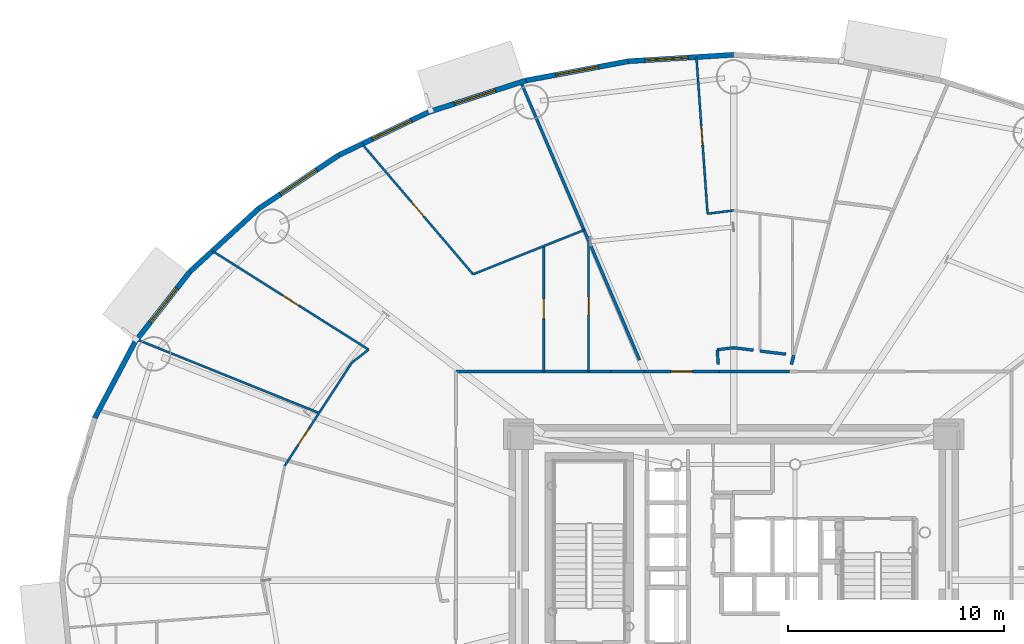
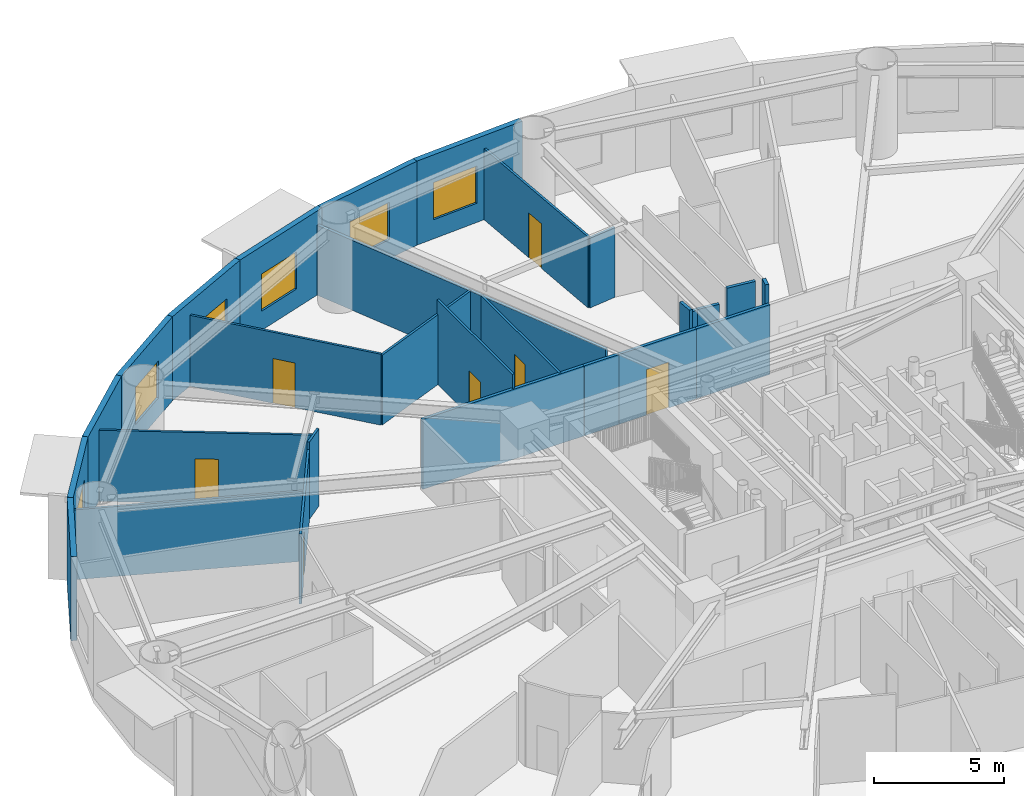
# One storey, part 15 of 24: 28 walls, 7 doors, 6 windows, 13 openings.
"""IFC4 building model written with IfcOpenShell, lengths in metres."""

from ifc_helpers import new_model, si_unit, direction, frame, frame_2d, origin, origin_2d, place, context, subcontext, project, spatial, rectangle, extrude, source, transform, mapped, material, layer, layer_set, type_object, element, fill, save


model = new_model("IFC4")

# Units and contexts
model_context = context("Model", 3, precision=1e-05, world=origin(), true_north=direction((0.0, 1.0)))
body_context = subcontext(model_context, "Body", "Model", "MODEL_VIEW")
ifc_project = project(units=[si_unit("LENGTHUNIT", "METRE"), si_unit("AREAUNIT", "SQUARE_METRE"), si_unit("VOLUMEUNIT", "CUBIC_METRE"), si_unit("PLANEANGLEUNIT", "RADIAN"), si_unit("MASSUNIT", "GRAM", prefix="KILO")], contexts=[model_context])

# Site, building, storey
site_placement = place(None, origin())
site = spatial("IfcSite", under=ifc_project, at=site_placement, CompositionType="ELEMENT")
building_placement = place(site_placement, origin())
building = spatial("IfcBuilding", under=site, at=building_placement, Name="Linh Dai School and Residence Tower", CompositionType="ELEMENT")
storey_placement = place(building_placement, frame((0.0, 0.0, 74.39990234375)))
storey = spatial("IfcBuildingStorey", under=building, at=storey_placement, Name="L17", CompositionType="ELEMENT", Elevation=74.39990234375)

# Wall, opening, window
ifc_material_1 = material(Name="Precast Concrete B45 (C35/45)", Category="concrete")
ifc_layer_1 = layer(ifc_material_1, 0.239990234375)
ifc_layer_set_1 = layer_set([ifc_layer_1], Name="Precast Concrete B45 (C35/45)")
wall_type_1 = type_object("IfcWallType", Name="EW-TC-240", PredefinedType="SOLIDWALL", material=ifc_layer_set_1)
wall_1_placement = place(storey_placement, frame((31.134521484375, 51.005126953125, 0.0), z_axis=(0.0, 0.0, 1.0), x_axis=(0.998106954071, 0.061502099433, 0.0)))
wall_1 = element("IfcWall", 1, at=wall_1_placement, inside=storey, type_object=wall_type_1, Name="L17 Terracotta Exterior Wall 11", PredefinedType="SOLIDWALL", context=body_context, shape_type="SweptSolid", body=[
    extrude(rectangle(XDim=4.874755859375, YDim=0.239990234375, at=frame_2d((2.4375, 0.0))), origin(), (0.0, 0.0, 1.0), 3.9501953125),
])
opening_1_placement = place(wall_1_placement, frame((0.77001953125, 0.0, 0.89990234375)))
opening_1 = element("IfcOpeningElement", 2, at=opening_1_placement, cuts=wall_1, Name="Opening W1", PredefinedType="OPENING", context=body_context, shape_type="SweptSolid", body=[
    extrude(rectangle(XDim=2.0, YDim=1.75, at=origin_2d()), frame((1.0, 0.1298828125, 0.875), z_axis=(0.0, -1.0, 0.0), x_axis=(1.0, 0.0, 0.0)), (0.0, 0.0, 1.0), 0.260009765625),
])
ifc_material_2 = material(Name="Double Low-E Insulated Glazing", Category="glass")
window_type = type_object("IfcWindowType", Name="WN-RES-2000x1750", PartitioningType="DOUBLE_PANEL_VERTICAL", PredefinedType="WINDOW", material=ifc_material_2)
shared_shape_1 = source(origin(), body_context, "Body", "SweptSolid", [
    extrude(rectangle(XDim=2.0, YDim=1.75, at=origin_2d()), frame((1.0, 0.030029296875, 0.875), z_axis=(0.0, -1.0, 0.0), x_axis=(1.0, 0.0, 0.0)), (0.0, 0.0, 1.0), 0.06005859375),
])
window_1_placement = place(opening_1_placement, origin())
window_1 = element("IfcWindow", 3, at=window_1_placement, inside=storey, type_object=window_type, Name="L17 Exterior Window 11.1", OverallHeight=1.75, OverallWidth=2.0, PartitioningType="DOUBLE_PANEL_VERTICAL", PredefinedType="WINDOW", context=body_context, shape_type="MappedRepresentation", body=[
    mapped(shared_shape_1, transform((0.0, 0.0, 0.0), x_axis=(1.0, 0.0, 0.0), y_axis=(0.0, 1.0, 0.0), z_axis=(0.0, 0.0, 1.0), scale=1.0)),
])
fill(opening_1, window_1)

wall_2_placement = place(storey_placement, frame((26.389404296875, 50.11328125, 0.0), z_axis=(0.0, 0.0, 1.0), x_axis=(0.982791952378, 0.184715939598, 0.0)))
wall_2 = element("IfcWall", 4, at=wall_2_placement, inside=storey, type_object=wall_type_1, Name="L17 Terracotta Exterior Wall 12", PredefinedType="SOLIDWALL", context=body_context, shape_type="SweptSolid", body=[
    extrude(rectangle(XDim=4.828125, YDim=0.239990234375, at=frame_2d((2.4140625, 0.0))), origin(), (0.0, 0.0, 1.0), 3.9501953125),
])
opening_2_placement = place(wall_2_placement, frame((1.414306640625, 0.0, 0.89990234375)))
opening_2 = element("IfcOpeningElement", 5, at=opening_2_placement, cuts=wall_2, Name="Opening W1", PredefinedType="OPENING", context=body_context, shape_type="SweptSolid", body=[
    extrude(rectangle(XDim=2.0, YDim=1.75, at=origin_2d()), frame((1.0, 0.1298828125, 0.875), z_axis=(0.0, -1.0, 0.0), x_axis=(1.0, 0.0, 0.0)), (0.0, 0.0, 1.0), 0.260009765625),
])
window_2_placement = place(opening_2_placement, origin())
window_2 = element("IfcWindow", 6, at=window_2_placement, inside=storey, type_object=window_type, Name="L17 Exterior Window 12.1", OverallHeight=1.75, OverallWidth=2.0, PartitioningType="DOUBLE_PANEL_VERTICAL", PredefinedType="WINDOW", context=body_context, shape_type="MappedRepresentation", body=[
    mapped(shared_shape_1, transform((0.0, 0.0, 0.0), x_axis=(1.0, 0.0, 0.0), y_axis=(0.0, 1.0, 0.0), z_axis=(0.0, 0.0, 1.0), scale=1.0)),
])
fill(opening_2, window_2)

wall_3_placement = place(storey_placement, frame((21.8818359375, 48.651123046875, 0.0), z_axis=(0.0, 0.0, 1.0), x_axis=(0.951207699013, 0.308551313946, 0.0)))
wall_3 = element("IfcWall", 7, at=wall_3_placement, inside=storey, type_object=wall_type_1, Name="L17 Terracotta Exterior Wall 13", PredefinedType="SOLIDWALL", context=body_context, shape_type="SweptSolid", body=[
    extrude(rectangle(XDim=4.73876953125, YDim=0.239990234375, at=frame_2d((2.369384765625, 0.0))), origin(), (0.0, 0.0, 1.0), 3.9501953125),
])
opening_3_placement = place(wall_3_placement, frame((1.2578125, 0.0, 0.89990234375)))
opening_3 = element("IfcOpeningElement", 8, at=opening_3_placement, cuts=wall_3, Name="Opening W1", PredefinedType="OPENING", context=body_context, shape_type="SweptSolid", body=[
    extrude(rectangle(XDim=2.0, YDim=1.75, at=origin_2d()), frame((1.0, 0.1298828125, 0.875), z_axis=(0.0, -1.0, 0.0), x_axis=(1.0, 0.0, 0.0)), (0.0, 0.0, 1.0), 0.260009765625),
])
window_3_placement = place(opening_3_placement, origin())
window_3 = element("IfcWindow", 9, at=window_3_placement, inside=storey, type_object=window_type, Name="L17 Exterior Window 13.1", OverallHeight=1.75, OverallWidth=2.0, PartitioningType="DOUBLE_PANEL_VERTICAL", PredefinedType="WINDOW", context=body_context, shape_type="MappedRepresentation", body=[
    mapped(shared_shape_1, transform((0.0, 0.0, 0.0), x_axis=(1.0, 0.0, 0.0), y_axis=(0.0, 1.0, 0.0), z_axis=(0.0, 0.0, 1.0), scale=1.0)),
])
fill(opening_3, window_3)

wall_4_placement = place(storey_placement, frame((17.722900390625, 46.65576171875, 0.0), z_axis=(0.0, 0.0, 1.0), x_axis=(0.901601503137, 0.432567601123, 0.0)))
wall_4 = element("IfcWall", 10, at=wall_4_placement, inside=storey, type_object=wall_type_1, Name="L17 Terracotta Exterior Wall 14", PredefinedType="SOLIDWALL", context=body_context, shape_type="SweptSolid", body=[
    extrude(rectangle(XDim=4.61279296875, YDim=0.239990234375, at=frame_2d((2.306396484375, 0.0))), origin(), (0.0, 0.0, 1.0), 3.9501953125),
])
opening_4_placement = place(wall_4_placement, frame((1.73095703125, 0.0, 0.89990234375)))
opening_4 = element("IfcOpeningElement", 11, at=opening_4_placement, cuts=wall_4, Name="Opening W1", PredefinedType="OPENING", context=body_context, shape_type="SweptSolid", body=[
    extrude(rectangle(XDim=2.0, YDim=1.75, at=origin_2d()), frame((1.0, 0.1298828125, 0.875), z_axis=(0.0, -1.0, 0.0), x_axis=(1.0, 0.0, 0.0)), (0.0, 0.0, 1.0), 0.260009765625),
])
window_4_placement = place(opening_4_placement, origin())
window_4 = element("IfcWindow", 12, at=window_4_placement, inside=storey, type_object=window_type, Name="L17 Exterior Window 14.1", OverallHeight=1.75, OverallWidth=2.0, PartitioningType="DOUBLE_PANEL_VERTICAL", PredefinedType="WINDOW", context=body_context, shape_type="MappedRepresentation", body=[
    mapped(shared_shape_1, transform((0.0, 0.0, 0.0), x_axis=(1.0, 0.0, 0.0), y_axis=(0.0, 1.0, 0.0), z_axis=(0.0, 0.0, 1.0), scale=1.0)),
])
fill(opening_4, window_4)

wall_5_placement = place(storey_placement, frame((14.015380859375, 44.17626953125, 0.0), z_axis=(0.0, 0.0, 1.0), x_axis=(0.831240982525, 0.555912249343, 0.0)))
wall_5 = element("IfcWall", 13, at=wall_5_placement, inside=storey, type_object=wall_type_1, Name="L17 Terracotta Exterior Wall 15", PredefinedType="SOLIDWALL", context=body_context, shape_type="SweptSolid", body=[
    extrude(rectangle(XDim=4.460205078125, YDim=0.239990234375, at=frame_2d((2.22998046875, 0.0))), origin(), (0.0, 0.0, 1.0), 3.9501953125),
])
opening_5_placement = place(wall_5_placement, frame((1.230224609375, 0.0, 0.89990234375)))
opening_5 = element("IfcOpeningElement", 14, at=opening_5_placement, cuts=wall_5, Name="Opening W1", PredefinedType="OPENING", context=body_context, shape_type="SweptSolid", body=[
    extrude(rectangle(XDim=2.0, YDim=1.75, at=origin_2d()), frame((1.0, 0.1298828125, 0.875), z_axis=(0.0, -1.0, 0.0), x_axis=(1.0, 0.0, 0.0)), (0.0, 0.0, 1.0), 0.260009765625),
])
window_5_placement = place(opening_5_placement, origin())
window_5 = element("IfcWindow", 15, at=window_5_placement, inside=storey, type_object=window_type, Name="L17 Exterior Window 15.1", OverallHeight=1.75, OverallWidth=2.0, PartitioningType="DOUBLE_PANEL_VERTICAL", PredefinedType="WINDOW", context=body_context, shape_type="MappedRepresentation", body=[
    mapped(shared_shape_1, transform((0.0, 0.0, 0.0), x_axis=(1.0, 0.0, 0.0), y_axis=(0.0, 1.0, 0.0), z_axis=(0.0, 0.0, 1.0), scale=1.0)),
])
fill(opening_5, window_5)

# Wall
wall_6_placement = place(storey_placement, frame((10.850341796875, 41.274658203125, 0.0), z_axis=(0.0, 0.0, 1.0), x_axis=(0.737116376281, 0.67576582321, 0.0)))
element("IfcWall", 16, at=wall_6_placement, inside=storey, type_object=wall_type_1, Name="L17 Terracotta Exterior Wall 16", PredefinedType="SOLIDWALL", context=body_context, shape_type="SweptSolid", body=[
    extrude(rectangle(XDim=4.293701171875, YDim=0.239990234375, at=frame_2d((2.14697265625, 0.0))), origin(), (0.0, 0.0, 1.0), 3.9501953125),
])

# Wall, opening, window
wall_7_placement = place(storey_placement, frame((8.305419921875, 38.022705078125, 0.0), z_axis=(0.0, 0.0, 1.0), x_axis=(0.616295508253, 0.787514981767, 0.0)))
wall_7 = element("IfcWall", 17, at=wall_7_placement, inside=storey, type_object=wall_type_1, Name="L17 Terracotta Exterior Wall 17", PredefinedType="SOLIDWALL", context=body_context, shape_type="SweptSolid", body=[
    extrude(rectangle(XDim=4.12939453125, YDim=0.239990234375, at=frame_2d((2.064697265625, 0.0))), origin(), (0.0, 0.0, 1.0), 3.9501953125),
])
opening_6_placement = place(wall_7_placement, frame((1.1455078125, 0.0, 0.89990234375)))
opening_6 = element("IfcOpeningElement", 18, at=opening_6_placement, cuts=wall_7, Name="Opening W1", PredefinedType="OPENING", context=body_context, shape_type="SweptSolid", body=[
    extrude(rectangle(XDim=2.0, YDim=1.75, at=origin_2d()), frame((1.0, 0.1298828125, 0.875), z_axis=(0.0, -1.0, 0.0), x_axis=(1.0, 0.0, 0.0)), (0.0, 0.0, 1.0), 0.260009765625),
])
window_6_placement = place(opening_6_placement, origin())
window_6 = element("IfcWindow", 19, at=window_6_placement, inside=storey, type_object=window_type, Name="L17 Exterior Window 17.1", OverallHeight=1.75, OverallWidth=2.0, PartitioningType="DOUBLE_PANEL_VERTICAL", PredefinedType="WINDOW", context=body_context, shape_type="MappedRepresentation", body=[
    mapped(shared_shape_1, transform((0.0, 0.0, 0.0), x_axis=(1.0, 0.0, 0.0), y_axis=(0.0, 1.0, 0.0), z_axis=(0.0, 0.0, 1.0), scale=1.0)),
])
fill(opening_6, window_6)

# Walls
wall_8_placement = place(storey_placement, frame((6.4423828125, 34.50146484375, 0.0), z_axis=(0.0, 0.0, 1.0), x_axis=(0.467662443071, 0.883907144072, 0.0)))
element("IfcWall", 20, at=wall_8_placement, inside=storey, type_object=wall_type_1, Name="L17 Terracotta Exterior Wall 18", PredefinedType="SOLIDWALL", context=body_context, shape_type="SweptSolid", body=[
    extrude(rectangle(XDim=3.983642578125, YDim=0.239990234375, at=frame_2d((1.99169921875, 0.0))), origin(), (0.0, 0.0, 1.0), 3.9501953125),
])
ifc_material_3 = material(Name="Autoclaved Aerated Concrete Blockwork", Category="masonry")
ifc_layer_2 = layer(ifc_material_3, 0.135009765625)
ifc_layer_set_2 = layer_set([ifc_layer_2], Name="Autoclaved Aerated Concrete Blockwork")
wall_type_2 = type_object("IfcWallType", Name="IW-CORR-135-EI90", PredefinedType="PARTITIONING", material=ifc_layer_set_2)
wall_9_placement = place(storey_placement, frame((23.14990234375, 36.64990234375, 0.0), z_axis=(0.0, 0.0, 1.0), x_axis=(1.0, 0.0, 0.0)))
element("IfcWall", 21, at=wall_9_placement, inside=storey, type_object=wall_type_2, Name="L17 Interior Partition Wall 025", PredefinedType="PARTITIONING", context=body_context, shape_type="SweptSolid", body=[
    extrude(rectangle(XDim=7.17138671875, YDim=0.135009765625, at=frame_2d((3.585693359375, 0.0))), origin(), (0.0, 0.0, 1.0), 3.28515625),
])
wall_10_placement = place(storey_placement, frame((26.156494140625, 50.042724609375, 0.0), z_axis=(0.0, 0.0, 1.0), x_axis=(0.392844637537, -0.919604855771, 0.0)))
element("IfcWall", 22, at=wall_10_placement, inside=storey, type_object=wall_type_2, Name="L17 Interior Partition Wall 027", PredefinedType="PARTITIONING", context=body_context, shape_type="SweptSolid", body=[
    extrude(rectangle(XDim=13.98681640625, YDim=0.135009765625, at=frame_2d((6.993408203125, 0.0))), origin(), (0.0, 0.0, 1.0), 3.28515625),
])

# Wall, opening, door
wall_11_placement = place(storey_placement, frame((31.877685546875, 36.64990234375, 0.0), z_axis=(0.0, 0.0, 1.0), x_axis=(1.0, 0.0, 0.0)))
wall_11 = element("IfcWall", 23, at=wall_11_placement, inside=storey, type_object=wall_type_2, Name="L17 Interior Partition Wall 036", PredefinedType="PARTITIONING", context=body_context, shape_type="SweptSolid", body=[
    extrude(rectangle(XDim=3.436279296875, YDim=0.135009765625, at=frame_2d((1.71826171875, 0.0))), origin(), (0.0, 0.0, 1.0), 3.28515625),
])
opening_7_placement = place(wall_11_placement, frame((1.21826171875, 0.0, 0.0)))
opening_7 = element("IfcOpeningElement", 24, at=opening_7_placement, cuts=wall_11, Name="Opening D03", PredefinedType="OPENING", context=body_context, shape_type="SweptSolid", body=[
    extrude(rectangle(XDim=1.0, YDim=2.14990234375, at=origin_2d()), frame((0.5, 0.07763671875, 1.074951171875), z_axis=(0.0, -1.0, 0.0), x_axis=(1.0, 0.0, 0.0)), (0.0, 0.0, 1.0), 0.155029296875),
])
ifc_material_4 = material(Name="Fire-Rated Solid Timber Entrance Door", Category="wood")
door_type_1 = type_object("IfcDoorType", Name="DR-FLAT-1000x2150-FD60S", OperationType="NOTDEFINED", PredefinedType="DOOR", material=ifc_material_4)
shared_shape_2 = source(origin(), body_context, "Body", "SweptSolid", [
    extrude(rectangle(XDim=1.0, YDim=2.14990234375, at=origin_2d()), frame((0.5, 0.02490234375, 1.074951171875), z_axis=(0.0, -1.0, 0.0), x_axis=(1.0, 0.0, 0.0)), (0.0, 0.0, 1.0), 0.050048828125),
])
door_1_placement = place(opening_7_placement, origin())
door_1 = element("IfcDoor", 25, at=door_1_placement, inside=storey, type_object=door_type_1, Name="L17 U1701 Apartment Entrance Door", OperationType="SINGLE_SWING_LEFT", OverallHeight=2.14990234375, OverallWidth=1.0, PredefinedType="DOOR", context=body_context, shape_type="MappedRepresentation", body=[
    mapped(shared_shape_2, transform((0.0, 0.0, 0.0), x_axis=(1.0, 0.0, 0.0), y_axis=(0.0, 1.0, 0.0), z_axis=(0.0, 0.0, 1.0), scale=1.0)),
])
fill(opening_7, door_1)

# Walls
wall_12_placement = place(storey_placement, frame((30.331298828125, 36.64990234375, 0.0), z_axis=(0.0, 0.0, 1.0), x_axis=(1.0, 0.0, 0.0)))
element("IfcWall", 26, at=wall_12_placement, inside=storey, type_object=wall_type_2, Name="L17 Interior Partition Wall 121", PredefinedType="PARTITIONING", context=body_context, shape_type="SweptSolid", body=[
    extrude(rectangle(XDim=1.536376953125, YDim=0.135009765625, at=frame_2d((0.76806640625, 0.0))), origin(), (0.0, 0.0, 1.0), 3.28515625),
])
wall_13_placement = place(storey_placement, frame((35.323974609375, 36.64990234375, 0.0), z_axis=(0.0, 0.0, 1.0), x_axis=(1.0, 0.0, 0.0)))
element("IfcWall", 27, at=wall_13_placement, inside=storey, type_object=wall_type_2, Name="L17 Interior Partition Wall 122", PredefinedType="PARTITIONING", context=body_context, shape_type="SweptSolid", body=[
    extrude(rectangle(XDim=3.251708984375, YDim=0.135009765625, at=frame_2d((1.6259765625, 0.0))), origin(), (0.0, 0.0, 1.0), 3.28515625),
])
wall_14_placement = place(storey_placement, frame((36.9150390625, 37.6357421875, 0.0), z_axis=(0.0, 0.0, 1.0), x_axis=(-0.9923915158, 0.12312221314, 0.0)))
element("IfcWall", 28, at=wall_14_placement, inside=storey, type_object=wall_type_2, Name="L17 Interior Partition Wall 136", PredefinedType="PARTITIONING", context=body_context, shape_type="SweptSolid", body=[
    extrude(rectangle(XDim=0.922119140625, YDim=0.135009765625, at=frame_2d((0.4609375, 0.0))), origin(), (0.0, 0.0, 1.0), 3.28515625),
])
wall_15_placement = place(storey_placement, frame((36.0, 37.749267578125, 0.0), z_axis=(0.0, 0.0, 1.0), x_axis=(-0.992385778562, -0.123168447694, 0.0)))
element("IfcWall", 29, at=wall_15_placement, inside=storey, type_object=wall_type_2, Name="L17 Interior Partition Wall 137", PredefinedType="PARTITIONING", context=body_context, shape_type="SweptSolid", body=[
    extrude(rectangle(XDim=0.76318359375, YDim=0.135009765625, at=frame_2d((0.381591796875, 0.0))), origin(), (0.0, 0.0, 1.0), 3.28515625),
])
wall_16_placement = place(storey_placement, frame((35.24267578125, 37.6552734375, 0.0), z_axis=(0.0, 0.0, 1.0), x_axis=(0.070787395853, -0.997491425822, 0.0)))
element("IfcWall", 30, at=wall_16_placement, inside=storey, type_object=wall_type_2, Name="L17 Interior Partition Wall 138", PredefinedType="PARTITIONING", context=body_context, shape_type="SweptSolid", body=[
    extrude(rectangle(XDim=0.679443359375, YDim=0.135009765625, at=frame_2d((0.33984375, 0.0))), origin(), (0.0, 0.0, 1.0), 3.9501953125),
])
wall_17_placement = place(storey_placement, frame((38.41748046875, 37.449462890625, 0.0), z_axis=(0.0, 0.0, 1.0), x_axis=(-0.992414815403, 0.122934267674, 0.0)))
element("IfcWall", 31, at=wall_17_placement, inside=storey, type_object=wall_type_2, Name="L17 Interior Partition Wall 139", PredefinedType="PARTITIONING", context=body_context, shape_type="SweptSolid", body=[
    extrude(rectangle(XDim=1.201416015625, YDim=0.135009765625, at=frame_2d((0.6005859375, 0.0))), origin(), (0.0, 0.0, 1.0), 3.9501953125),
])
ifc_layer_3 = layer(ifc_material_3, 0.14990234375)
ifc_layer_set_3 = layer_set([ifc_layer_3], Name="Autoclaved Aerated Concrete Blockwork")
wall_type_3 = type_object("IfcWallType", Name="IW-SCH-150-EI60", PredefinedType="PARTITIONING", material=ifc_layer_set_3)
wall_18_placement = place(storey_placement, frame((38.67333984375, 36.9775390625, 0.0), z_axis=(0.0, 0.0, 1.0), x_axis=(0.258896545979, 0.965905056659, 0.0)))
element("IfcWall", 32, at=wall_18_placement, inside=storey, type_object=wall_type_3, Name="L17 Interior Partition Wall 135", PredefinedType="PARTITIONING", context=body_context, shape_type="SweptSolid", body=[
    extrude(rectangle(XDim=0.430908203125, YDim=0.14990234375, at=frame_2d((0.21533203125, 0.0))), origin(), (0.0, 0.0, 1.0), 3.9501953125),
])
ifc_material_5 = material(Name="Gypsum Plasterboard Acoustic Stud Partition", Category="masonry")
ifc_layer_4 = layer(ifc_material_5, 0.10009765625)
ifc_layer_set_4 = layer_set([ifc_layer_4], Name="Gypsum Plasterboard Acoustic Stud Partition")
wall_type_4 = type_object("IfcWallType", Name="IW-UNIT-100", PredefinedType="PARTITIONING", material=ifc_layer_set_4)
wall_19_placement = place(storey_placement, frame((8.384765625, 38.13232421875, 0.0), z_axis=(0.0, 0.0, 1.0), x_axis=(0.927473750459, -0.373888275037, 0.0)))
element("IfcWall", 33, at=wall_19_placement, inside=storey, type_object=wall_type_4, Name="L17 Interior Partition Wall 005", PredefinedType="PARTITIONING", context=body_context, shape_type="SweptSolid", body=[
    extrude(rectangle(XDim=9.095947265625, YDim=0.10009765625, at=frame_2d((4.5478515625, 0.0))), origin(), (0.0, 0.0, 1.0), 3.28515625),
])

# Wall, opening, door
wall_20_placement = place(storey_placement, frame((11.88232421875, 42.2275390625, 0.0), z_axis=(0.0, 0.0, 1.0), x_axis=(0.845549287721, -0.533897370319, 0.0)))
wall_20 = element("IfcWall", 34, at=wall_20_placement, inside=storey, type_object=wall_type_4, Name="L17 Interior Partition Wall 008", PredefinedType="PARTITIONING", context=body_context, shape_type="SweptSolid", body=[
    extrude(rectangle(XDim=8.5498046875, YDim=0.10009765625, at=frame_2d((4.27490234375, 0.0))), origin(), (0.0, 0.0, 1.0), 3.335205078125),
])
opening_8_placement = place(wall_20_placement, frame((3.824951171875, 0.0, 0.0)))
opening_8 = element("IfcOpeningElement", 35, at=opening_8_placement, cuts=wall_20, Name="Opening D05", PredefinedType="OPENING", context=body_context, shape_type="SweptSolid", body=[
    extrude(rectangle(XDim=0.89990234375, YDim=2.10009765625, at=origin_2d()), frame((0.449951171875, 0.06005859375, 1.050048828125), z_axis=(0.0, -1.0, 0.0), x_axis=(1.0, 0.0, 0.0)), (0.0, 0.0, 1.0), 0.1201171875),
])
ifc_material_6 = material(Name="Engineered Timber Internal Door", Category="wood")
door_type_2 = type_object("IfcDoorType", Name="DR-INT-900x2100", OperationType="NOTDEFINED", PredefinedType="DOOR", material=ifc_material_6)
shared_shape_3 = source(origin(), body_context, "Body", "SweptSolid", [
    extrude(rectangle(XDim=0.89990234375, YDim=2.10009765625, at=origin_2d()), frame((0.449951171875, 0.02490234375, 1.050048828125), z_axis=(0.0, -1.0, 0.0), x_axis=(1.0, 0.0, 0.0)), (0.0, 0.0, 1.0), 0.050048828125),
])
door_2_placement = place(opening_8_placement, origin())
door_2 = element("IfcDoor", 36, at=door_2_placement, inside=storey, type_object=door_type_2, Name="L17 Apartment U1702 Principal Bedroom 2 Door", OperationType="SINGLE_SWING_LEFT", OverallHeight=2.10009765625, OverallWidth=0.89990234375, PredefinedType="DOOR", context=body_context, shape_type="MappedRepresentation", body=[
    mapped(shared_shape_3, transform((0.0, 0.0, 0.0), x_axis=(1.0, 0.0, 0.0), y_axis=(0.0, 1.0, 0.0), z_axis=(0.0, 0.0, 1.0), scale=1.0)),
])
fill(opening_8, door_2)

wall_21_placement = place(storey_placement, frame((15.22900390625, 32.284423828125, 0.0), z_axis=(0.0, 0.0, 1.0), x_axis=(0.545394142426, 0.83817971188, 0.0)))
wall_21 = element("IfcWall", 37, at=wall_21_placement, inside=storey, type_object=wall_type_4, Name="L17 Interior Partition Wall 013", PredefinedType="PARTITIONING", context=body_context, shape_type="SweptSolid", body=[
    extrude(rectangle(XDim=5.687744140625, YDim=0.10009765625, at=frame_2d((2.84375, 0.0))), origin(), (0.0, 0.0, 1.0), 3.28515625),
])
opening_9_placement = place(wall_21_placement, frame((1.14599609375, 0.0, 0.0)))
opening_9 = element("IfcOpeningElement", 38, at=opening_9_placement, cuts=wall_21, Name="Opening D05", PredefinedType="OPENING", context=body_context, shape_type="SweptSolid", body=[
    extrude(rectangle(XDim=0.89990234375, YDim=2.10009765625, at=origin_2d()), frame((0.449951171875, 0.06005859375, 1.050048828125), z_axis=(0.0, -1.0, 0.0), x_axis=(1.0, 0.0, 0.0)), (0.0, 0.0, 1.0), 0.1201171875),
])
door_3_placement = place(opening_9_placement, origin())
door_3 = element("IfcDoor", 39, at=door_3_placement, inside=storey, type_object=door_type_2, Name="L17 Apartment U1702 Study Door", OperationType="SINGLE_SWING_RIGHT", OverallHeight=2.10009765625, OverallWidth=0.89990234375, PredefinedType="DOOR", context=body_context, shape_type="MappedRepresentation", body=[
    mapped(shared_shape_3, transform((0.0, 0.0, 0.0), x_axis=(1.0, 0.0, 0.0), y_axis=(0.0, 1.0, 0.0), z_axis=(0.0, 0.0, 1.0), scale=1.0)),
])
fill(opening_9, door_3)

# Wall
wall_22_placement = place(storey_placement, frame((18.3310546875, 37.0517578125, 0.0), z_axis=(0.0, 0.0, 1.0), x_axis=(0.787385450927, 0.616460989575, 0.0)))
element("IfcWall", 40, at=wall_22_placement, inside=storey, type_object=wall_type_4, Name="L17 Interior Partition Wall 018", PredefinedType="PARTITIONING", context=body_context, shape_type="SweptSolid", body=[
    extrude(rectangle(XDim=0.9912109375, YDim=0.10009765625, at=frame_2d((0.49560546875, 0.0))), origin(), (0.0, 0.0, 1.0), 3.635009765625),
])

# Wall, opening, door
wall_23_placement = place(storey_placement, frame((18.805419921875, 47.1806640625, 0.0), z_axis=(0.0, 0.0, 1.0), x_axis=(0.648556358155, -0.761166637667, 0.0)))
wall_23 = element("IfcWall", 41, at=wall_23_placement, inside=storey, type_object=wall_type_4, Name="L17 Interior Partition Wall 019", PredefinedType="PARTITIONING", context=body_context, shape_type="SweptSolid", body=[
    extrude(rectangle(XDim=7.92626953125, YDim=0.10009765625, at=frame_2d((3.963134765625, 0.0))), origin(), (0.0, 0.0, 1.0), 3.335205078125),
])
opening_10_placement = place(wall_23_placement, frame((3.51318359375, 0.0, 0.0)))
opening_10 = element("IfcOpeningElement", 42, at=opening_10_placement, cuts=wall_23, Name="Opening D05", PredefinedType="OPENING", context=body_context, shape_type="SweptSolid", body=[
    extrude(rectangle(XDim=0.89990234375, YDim=2.10009765625, at=origin_2d()), frame((0.449951171875, 0.06005859375, 1.050048828125), z_axis=(0.0, -1.0, 0.0), x_axis=(1.0, 0.0, 0.0)), (0.0, 0.0, 1.0), 0.1201171875),
])
door_4_placement = place(opening_10_placement, origin())
door_4 = element("IfcDoor", 43, at=door_4_placement, inside=storey, type_object=door_type_2, Name="L17 Apartment U1702 Principal Bedroom 1 Door", OperationType="SINGLE_SWING_RIGHT", OverallHeight=2.10009765625, OverallWidth=0.89990234375, PredefinedType="DOOR", context=body_context, shape_type="MappedRepresentation", body=[
    mapped(shared_shape_3, transform((0.0, 0.0, 0.0), x_axis=(1.0, 0.0, 0.0), y_axis=(0.0, 1.0, 0.0), z_axis=(0.0, 0.0, 1.0), scale=1.0)),
])
fill(opening_10, door_4)

# Wall
wall_24_placement = place(storey_placement, frame((23.946044921875, 41.1474609375, 0.0), z_axis=(0.0, 0.0, 1.0), x_axis=(0.928805222761, 0.370568290834, 0.0)))
element("IfcWall", 44, at=wall_24_placement, inside=storey, type_object=wall_type_4, Name="L17 Interior Partition Wall 026", PredefinedType="PARTITIONING", context=body_context, shape_type="SweptSolid", body=[
    extrude(rectangle(XDim=5.52880859375, YDim=0.10009765625, at=frame_2d((2.764404296875, 0.0))), origin(), (0.0, 0.0, 1.0), 3.28515625),
])

# Wall, opening, door
wall_25_placement = place(storey_placement, frame((27.216796875, 36.64990234375, 0.0), z_axis=(0.0, 0.0, 1.0), x_axis=(0.0, 1.0, 0.0)))
wall_25 = element("IfcWall", 45, at=wall_25_placement, inside=storey, type_object=wall_type_4, Name="L17 Interior Partition Wall 029", PredefinedType="PARTITIONING", context=body_context, shape_type="SweptSolid", body=[
    extrude(rectangle(XDim=5.802490234375, YDim=0.10009765625, at=frame_2d((2.9013671875, 0.0))), origin(), (0.0, 0.0, 1.0), 3.9501953125),
])
opening_11_placement = place(wall_25_placement, frame((2.451171875, 0.0, 0.0)))
opening_11 = element("IfcOpeningElement", 46, at=opening_11_placement, cuts=wall_25, Name="Opening D05", PredefinedType="OPENING", context=body_context, shape_type="SweptSolid", body=[
    extrude(rectangle(XDim=0.89990234375, YDim=2.10009765625, at=origin_2d()), frame((0.449951171875, 0.06005859375, 1.050048828125), z_axis=(0.0, -1.0, 0.0), x_axis=(1.0, 0.0, 0.0)), (0.0, 0.0, 1.0), 0.1201171875),
])
door_5_placement = place(opening_11_placement, origin())
door_5 = element("IfcDoor", 47, at=door_5_placement, inside=storey, type_object=door_type_2, Name="L17 Apartment U1702 Kitchen Door", OperationType="SINGLE_SWING_LEFT", OverallHeight=2.10009765625, OverallWidth=0.89990234375, PredefinedType="DOOR", context=body_context, shape_type="MappedRepresentation", body=[
    mapped(shared_shape_3, transform((0.0, 0.0, 0.0), x_axis=(1.0, 0.0, 0.0), y_axis=(0.0, 1.0, 0.0), z_axis=(0.0, 0.0, 1.0), scale=1.0)),
])
fill(opening_11, door_5)

wall_26_placement = place(storey_placement, frame((29.29248046875, 36.64990234375, 0.0), z_axis=(0.0, 0.0, 1.0), x_axis=(0.0, 1.0, 0.0)))
wall_26 = element("IfcWall", 48, at=wall_26_placement, inside=storey, type_object=wall_type_4, Name="L17 Interior Partition Wall 032", PredefinedType="PARTITIONING", context=body_context, shape_type="SweptSolid", body=[
    extrude(rectangle(XDim=6.0517578125, YDim=0.10009765625, at=frame_2d((3.02587890625, 0.0))), origin(), (0.0, 0.0, 1.0), 3.28515625),
])
opening_12_placement = place(wall_26_placement, frame((2.615966796875, 0.0, 0.0)))
opening_12 = element("IfcOpeningElement", 49, at=opening_12_placement, cuts=wall_26, Name="Opening D06", PredefinedType="OPENING", context=body_context, shape_type="SweptSolid", body=[
    extrude(rectangle(XDim=0.820068359375, YDim=2.10009765625, at=origin_2d()), frame((0.41015625, 0.06005859375, 1.050048828125), z_axis=(0.0, -1.0, 0.0), x_axis=(1.0, 0.0, 0.0)), (0.0, 0.0, 1.0), 0.1201171875),
])
ifc_material_7 = material(Name="Moisture-Resistant Timber Bathroom Door", Category="wood")
door_type_3 = type_object("IfcDoorType", Name="DR-WET-820x2100", OperationType="NOTDEFINED", PredefinedType="DOOR", material=ifc_material_7)
shared_shape_4 = source(origin(), body_context, "Body", "SweptSolid", [
    extrude(rectangle(XDim=0.820068359375, YDim=2.10009765625, at=origin_2d()), frame((0.41015625, 0.02490234375, 1.050048828125), z_axis=(0.0, -1.0, 0.0), x_axis=(1.0, 0.0, 0.0)), (0.0, 0.0, 1.0), 0.050048828125),
])
door_6_placement = place(opening_12_placement, origin())
door_6 = element("IfcDoor", 50, at=door_6_placement, inside=storey, type_object=door_type_3, Name="L17 Apartment U1702 Bathroom 1 Door", OperationType="SINGLE_SWING_RIGHT", OverallHeight=2.10009765625, OverallWidth=0.820068359375, PredefinedType="DOOR", context=body_context, shape_type="MappedRepresentation", body=[
    mapped(shared_shape_4, transform((0.0, 0.0, 0.0), x_axis=(1.0, 0.0, 0.0), y_axis=(0.0, 1.0, 0.0), z_axis=(0.0, 0.0, 1.0), scale=1.0)),
])
fill(opening_12, door_6)

wall_27_placement = place(storey_placement, frame((34.279541015625, 51.2041015625, 0.0), z_axis=(0.0, 0.0, 1.0), x_axis=(0.070917738425, -0.997482167448, 0.0)))
wall_27 = element("IfcWall", 51, at=wall_27_placement, inside=storey, type_object=wall_type_4, Name="L17 Interior Partition Wall 045", PredefinedType="PARTITIONING", context=body_context, shape_type="SweptSolid", body=[
    extrude(rectangle(XDim=7.270751953125, YDim=0.10009765625, at=frame_2d((3.63525390625, 0.0))), origin(), (0.0, 0.0, 1.0), 3.335205078125),
])
opening_13_placement = place(wall_27_placement, frame((3.185302734375, 0.0, 0.0)))
opening_13 = element("IfcOpeningElement", 52, at=opening_13_placement, cuts=wall_27, Name="Opening D05", PredefinedType="OPENING", context=body_context, shape_type="SweptSolid", body=[
    extrude(rectangle(XDim=0.89990234375, YDim=2.10009765625, at=origin_2d()), frame((0.449951171875, 0.06005859375, 1.050048828125), z_axis=(0.0, -1.0, 0.0), x_axis=(1.0, 0.0, 0.0)), (0.0, 0.0, 1.0), 0.1201171875),
])
door_7_placement = place(opening_13_placement, origin())
door_7 = element("IfcDoor", 53, at=door_7_placement, inside=storey, type_object=door_type_2, Name="L17 Apartment U1701 Principal Bedroom 1 Door", OperationType="SINGLE_SWING_RIGHT", OverallHeight=2.10009765625, OverallWidth=0.89990234375, PredefinedType="DOOR", context=body_context, shape_type="MappedRepresentation", body=[
    mapped(shared_shape_3, transform((0.0, 0.0, 0.0), x_axis=(1.0, 0.0, 0.0), y_axis=(0.0, 1.0, 0.0), z_axis=(0.0, 0.0, 1.0), scale=1.0)),
])
fill(opening_13, door_7)

# Wall
wall_28_placement = place(storey_placement, frame((34.795166015625, 43.95166015625, 0.0), z_axis=(0.0, 0.0, 1.0), x_axis=(0.992398063534, 0.123069425508, 0.0)))
element("IfcWall", 54, at=wall_28_placement, inside=storey, type_object=wall_type_4, Name="L17 Interior Partition Wall 046", PredefinedType="PARTITIONING", context=body_context, shape_type="SweptSolid", body=[
    extrude(rectangle(XDim=1.214111328125, YDim=0.10009765625, at=frame_2d((0.60693359375, 0.0))), origin(), (0.0, 0.0, 1.0), 3.28515625),
])

save(model, "model.ifc")
